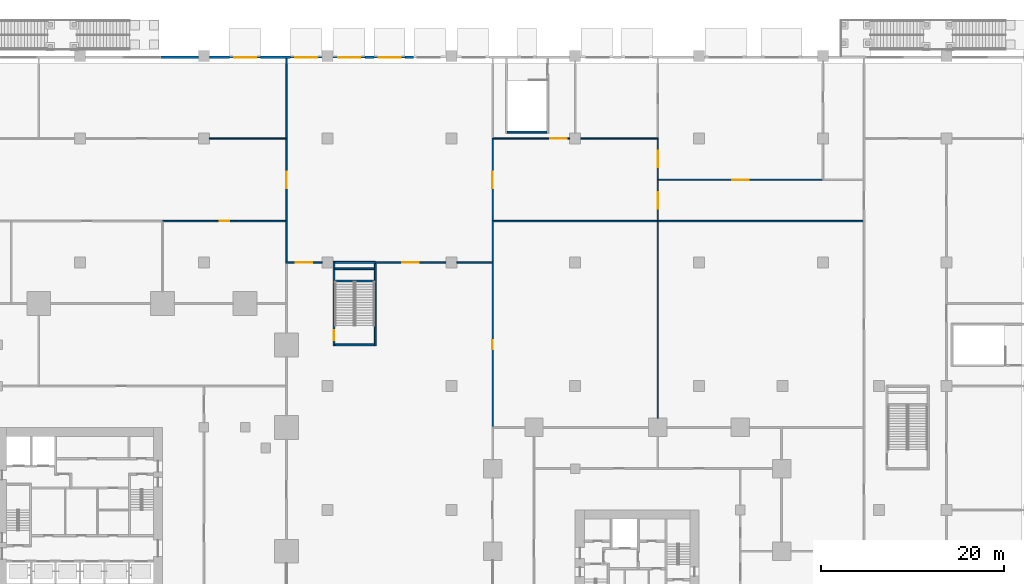
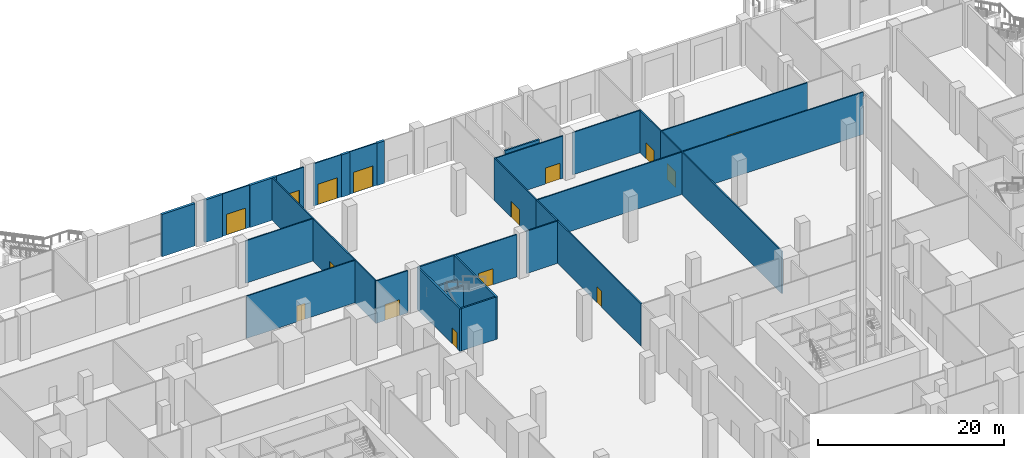
# One storey, part 32 of 68: 35 walls, 15 doors, 15 openings.
"""IFC4 building model written with IfcOpenShell, lengths in metres."""

import ifcopenshell
import ifcopenshell.guid

model = None  # the IFC model being written
_history = None  # IfcOwnerHistory: only IFC2X3 demands one
_inside = {}  # id of a spatial element -> (the spatial element, [elements in it])
_under = {}  # id of a project, library or spatial element -> (it, [spatial elements below it])
_declared = {}  # id of a project -> (the project, [libraries it declares])
_typed = {}  # id of a type object -> (the type object, [elements of that type])
_made_of = {}  # id of a material, layer set ... -> (it, [elements and type objects made of it])


def new_model(schema):
    """Start an empty IFC model of exactly this schema.

    Asked for "IFC4X3", IfcOpenShell would pick the latest addendum, in which some entities
    have other attributes; the version numbers below select the first issue.
    IFC2X3 requires an IfcOwnerHistory on every rooted entity: one is made here for all.
    """
    global model, _history
    if schema == "IFC4X3":
        model = ifcopenshell.file(schema_version=(4, 3, 0, 0))
    else:
        model = ifcopenshell.file(schema=schema)
    _inside.clear()
    _under.clear()
    _declared.clear()
    _typed.clear()
    _made_of.clear()
    _history = None
    if model.schema == "IFC2X3":
        org = make("IfcOrganization", Name="unknown")
        user = make(
            "IfcPersonAndOrganization",
            ThePerson=make("IfcPerson", FamilyName="unknown"),
            TheOrganization=org,
        )
        app = make(
            "IfcApplication",
            ApplicationDeveloper=org,
            Version="unknown",
            ApplicationFullName="unknown",
            ApplicationIdentifier="unknown",
        )
        _history = make(
            "IfcOwnerHistory",
            OwningUser=user,
            OwningApplication=app,
            ChangeAction="ADDED",
            CreationDate=0,
        )
    return model


def make(cls, **values):
    """One entity of the class cls with the attributes given. An attribute that is None is left unset."""
    return model.create_entity(
        cls, **{name: value for name, value in values.items() if value is not None}
    )


def rooted(cls, **values):
    """An entity with a GlobalId (a new one), such as an element, a storey or a relation."""
    return make(cls, GlobalId=ifcopenshell.guid.new(), OwnerHistory=_history, **values)


def si_unit(unit_type, name, prefix=None):
    """IfcSIUnit, for example si_unit("LENGTHUNIT", "METRE", prefix="MILLI")."""
    return make("IfcSIUnit", UnitType=unit_type, Prefix=prefix, Name=name)


def assignment(units):
    """IfcUnitAssignment: the units of a project."""
    return None if units is None else make("IfcUnitAssignment", Units=units)


def point(xyz):
    """IfcCartesianPoint."""
    return None if xyz is None else make("IfcCartesianPoint", Coordinates=xyz)


def direction(xyz):
    """IfcDirection."""
    return None if xyz is None else make("IfcDirection", DirectionRatios=xyz)


def frame(location, z_axis=None, x_axis=None):
    """IfcAxis2Placement3D, a coordinate frame: its origin and axes. An axis left out is left unset."""
    return make(
        "IfcAxis2Placement3D",
        Location=point(location),
        Axis=direction(z_axis),
        RefDirection=direction(x_axis),
    )


def frame_2d(location, x_axis=None):
    """IfcAxis2Placement2D, a coordinate frame in the plane: its origin and x axis."""
    return make(
        "IfcAxis2Placement2D", Location=point(location), RefDirection=direction(x_axis)
    )


def origin():
    """The frame at (0, 0, 0) with its axes left unset."""
    return frame((0.0, 0.0, 0.0))


def place(relative_to, where):
    """IfcLocalPlacement: puts the frame where relative to a parent placement (None: the world)."""
    return make(
        "IfcLocalPlacement", PlacementRelTo=relative_to, RelativePlacement=where
    )


def context(
    kind, dimensions, precision=None, world=None, true_north=None, identifier=None
):
    """IfcGeometricRepresentationContext, for example the 3D "Model" context."""
    return make(
        "IfcGeometricRepresentationContext",
        ContextIdentifier=identifier,
        ContextType=kind,
        CoordinateSpaceDimension=dimensions,
        Precision=precision,
        WorldCoordinateSystem=world,
        TrueNorth=true_north,
    )


def subcontext(parent, identifier, kind, view, scale=None):
    """IfcGeometricRepresentationSubContext, for example "Body" below "Model"."""
    return make(
        "IfcGeometricRepresentationSubContext",
        ContextIdentifier=identifier,
        ContextType=kind,
        ParentContext=parent,
        TargetScale=scale,
        TargetView=view,
    )


def project(units=None, contexts=None):
    """IfcProject with its units and contexts."""
    return rooted(
        "IfcProject",
        Name="project",
        RepresentationContexts=contexts,
        UnitsInContext=assignment(units),
    )


def spatial(cls, under=None, at=None, **own):
    """A site, building, storey or space (cls), placed at a placement, below another one or the project."""
    s = rooted(cls, ObjectPlacement=at, **own)
    if under is not None:
        _under.setdefault(under.id(), (under, []))[1].append(s)
    return s


def profile(cls, at=None, kind="AREA", **sizes):
    """A parametric profile (cls). Its sizes go by their IFC names, for example OverallWidth=200.0."""
    return make(cls, ProfileType=kind, Position=at, **sizes)


def rectangle(**sizes):
    """IfcRectangleProfileDef."""
    return profile("IfcRectangleProfileDef", **sizes)


def extrude(swept, where, along, depth):
    """IfcExtrudedAreaSolid: the profile swept, set in the frame where, extruded along a direction by depth."""
    return make(
        "IfcExtrudedAreaSolid",
        SweptArea=swept,
        Position=where,
        ExtrudedDirection=direction(along),
        Depth=depth,
    )


def shape(context_of_items, identifier, shape_type, items):
    """IfcShapeRepresentation: the items that make up one representation, for example the "Body"."""
    return make(
        "IfcShapeRepresentation",
        ContextOfItems=context_of_items,
        RepresentationIdentifier=identifier,
        RepresentationType=shape_type,
        Items=items,
    )


def material(Name=None, Category=None):
    """IfcMaterial."""
    return make("IfcMaterial", Name=Name, Category=Category)


def layer(
    of_material, thickness, ventilated=None, Name=None, Category=None, Priority=None
):
    """IfcMaterialLayer: one layer of a wall or slab, of a material (None: an air gap)."""
    return make(
        "IfcMaterialLayer",
        Material=of_material,
        LayerThickness=thickness,
        IsVentilated=ventilated,
        Name=Name,
        Category=Category,
        Priority=Priority,
    )


def layer_set(layers, Name=None):
    """IfcMaterialLayerSet."""
    return make("IfcMaterialLayerSet", MaterialLayers=layers, LayerSetName=Name)


def made_of(thing, what):
    """Note that an element or type object is made of a material, layer set ...; save() writes the relation."""
    if what is not None:
        _made_of.setdefault(what.id(), (what, []))[1].append(thing)
    return thing


def type_object(cls, material=None, **own):
    """A type object (cls), such as IfcWallType, which elements share."""
    return made_of(rooted(cls, **own), material)


def element(
    cls,
    number,
    at=None,
    inside=None,
    cuts=None,
    type_object=None,
    material=None,
    context=None,
    identifier="Body",
    shape_type=None,
    held_by="IfcProductDefinitionShape",
    body=None,
    shapes=None,
    **own,
):
    """One element of the class cls, such as IfcWall. Its Tag is "e" and its number.

    at: its placement. inside: the storey or other place that contains it. cuts: it is an
    opening in that element (IfcRelVoidsElement). A single representation is given by context,
    identifier, shape_type and body (its items); several are given by shapes. held_by: the class
    of the entity that holds the representations. save() writes the other relations.
    """
    e = rooted(cls, Tag="e%d" % number, ObjectPlacement=at, **own)
    if body is not None:
        shapes = [shape(context, identifier, shape_type, body)]
    if shapes is not None:
        e.Representation = make(held_by, Representations=shapes)
    if inside is not None:
        _inside.setdefault(inside.id(), (inside, []))[1].append(e)
    if cuts is not None:
        rooted(
            "IfcRelVoidsElement", RelatingBuildingElement=cuts, RelatedOpeningElement=e
        )
    if type_object is not None:
        _typed.setdefault(type_object.id(), (type_object, []))[1].append(e)
    return made_of(e, material)


def fill(opening, filler):
    """IfcRelFillsElement: the door or window that sits in an opening."""
    return rooted(
        "IfcRelFillsElement",
        RelatingOpeningElement=opening,
        RelatedBuildingElement=filler,
    )


def aggregate(whole, parts):
    """IfcRelAggregates: a whole, such as a stair, and the parts it consists of."""
    return rooted("IfcRelAggregates", RelatingObject=whole, RelatedObjects=parts)


def save(model, path):
    """Write the relations noted so far, then the file.

    IfcRelAggregates (storeys below a building ...), IfcRelContainedInSpatialStructure (elements
    in a storey), IfcRelDefinesByType, IfcRelAssociatesMaterial and IfcRelDeclares: one each for
    every whole, place, type object, material and project.
    """
    for whole, parts in _under.values():
        aggregate(whole, parts)
    for where, things in _inside.values():
        rooted(
            "IfcRelContainedInSpatialStructure",
            RelatedElements=things,
            RelatingStructure=where,
        )
    for kind, things in _typed.values():
        rooted("IfcRelDefinesByType", RelatedObjects=things, RelatingType=kind)
    for what, things in _made_of.values():
        rooted("IfcRelAssociatesMaterial", RelatedObjects=things, RelatingMaterial=what)
    for by, libraries in _declared.values():
        rooted("IfcRelDeclares", RelatingContext=by, RelatedDefinitions=libraries)
    model.write(path)


model = new_model("IFC4")

# Units and contexts
model_context = context("Model", 3, precision=1e-05, world=origin(), true_north=direction((0.0, 1.0)))
body_context = subcontext(model_context, "Body", "Model", "MODEL_VIEW")
ifc_project = project(units=[si_unit("LENGTHUNIT", "METRE"), si_unit("AREAUNIT", "SQUARE_METRE"), si_unit("VOLUMEUNIT", "CUBIC_METRE"), si_unit("PLANEANGLEUNIT", "RADIAN"), si_unit("MASSUNIT", "GRAM", prefix="KILO")], contexts=[model_context])

# Site, building, storey
site_placement = place(None, origin())
site = spatial("IfcSite", under=ifc_project, at=site_placement, CompositionType="ELEMENT")
building_placement = place(site_placement, origin())
building = spatial("IfcBuilding", under=site, at=building_placement, Name="Altepetl Exchange Towers", CompositionType="ELEMENT")
storey_placement = place(building_placement, origin())
storey = spatial("IfcBuildingStorey", under=building, at=storey_placement, Name="L00 Ground concourse", CompositionType="ELEMENT", Elevation=0.0)

# Wall, opening, door
ifc_material_1 = material(Name="Aluminium composite cladding", Category="aluminium")
ifc_layer_1 = layer(ifc_material_1, 0.14990234375)
ifc_layer_set_1 = layer_set([ifc_layer_1], Name="Aluminium composite cladding")
wall_type_1 = type_object("IfcWallType", Name="Infill wall 150 aluminium panel", PredefinedType="SOLIDWALL", material=ifc_layer_set_1)
wall_1_placement = place(storey_placement, frame((84.949951171875, 98.85009765625, 0.0), z_axis=(0.0, 0.0, 1.0), x_axis=(-1.0, 0.0, 0.0)))
wall_1 = element("IfcWall", 1, at=wall_1_placement, inside=storey, type_object=wall_type_1, Name="Door bay wall", PredefinedType="SOLIDWALL", context=body_context, shape_type="SweptSolid", body=[
    extrude(rectangle(XDim=3.39990234375, YDim=0.14990234375, at=frame_2d((1.699951171875, 0.0))), origin(), (0.0, 0.0, 1.0), 5.550048828125),
])
opening_1_placement = place(wall_1_placement, frame((0.5, 0.0, 0.0)))
opening_1 = element("IfcOpeningElement", 2, at=opening_1_placement, cuts=wall_1, Name="Opening L00.E08", PredefinedType="OPENING", context=body_context, shape_type="SweptSolid", body=[
    extrude(rectangle(XDim=2.39990234375, YDim=2.699951171875, at=frame_2d((1.199951171875, 1.35009765625))), frame((0.0, 0.0849609375, 0.0), z_axis=(0.0, -1.0, 0.0), x_axis=(1.0, 0.0, 0.0)), (0.0, 0.0, 1.0), 0.169921875),
])
ifc_material_2 = material(Name="Aluminium 6063-T6 and glass", Category="aluminium")
door_type_1 = type_object("IfcDoorType", Name="Entrance door pair 2400x2700 pedestrian", OperationType="DOUBLE_DOOR_DOUBLE_SWING", PredefinedType="NOTDEFINED", material=ifc_material_2)
door_1_placement = place(opening_1_placement, frame((2.39990234375, 0.0, 0.0), x_axis=(-1.0, 0.0, 0.0)))
door_1 = element("IfcDoor", 3, at=door_1_placement, inside=storey, type_object=door_type_1, Name="Entrance door", OperationType="DOUBLE_DOOR_DOUBLE_SWING", OverallHeight=2.699951171875, OverallWidth=2.39990234375, PredefinedType="NOTDEFINED", context=body_context, shape_type="SweptSolid", body=[
    extrude(rectangle(XDim=2.39990234375, YDim=2.699951171875, at=frame_2d((1.199951171875, 1.35009765625))), frame((0.0, 0.02490234375, 0.0), z_axis=(0.0, -1.0, 0.0), x_axis=(1.0, 0.0, 0.0)), (0.0, 0.0, 1.0), 0.050048828125),
])
fill(opening_1, door_1)

wall_2_placement = place(storey_placement, frame((80.550048828125, 98.85009765625, 0.0), z_axis=(0.0, 0.0, 1.0), x_axis=(-1.0, 0.0, 0.0)))
wall_2 = element("IfcWall", 4, at=wall_2_placement, inside=storey, type_object=wall_type_1, Name="Door bay wall", PredefinedType="SOLIDWALL", context=body_context, shape_type="SweptSolid", body=[
    extrude(rectangle(XDim=3.449951171875, YDim=0.14990234375, at=frame_2d((1.72509765625, 0.0))), origin(), (0.0, 0.0, 1.0), 5.550048828125),
])
opening_2_placement = place(wall_2_placement, frame((0.5, 0.0, 0.0)))
opening_2 = element("IfcOpeningElement", 5, at=opening_2_placement, cuts=wall_2, Name="Opening L00.E07", PredefinedType="OPENING", context=body_context, shape_type="SweptSolid", body=[
    extrude(rectangle(XDim=2.39990234375, YDim=2.699951171875, at=frame_2d((1.199951171875, 1.35009765625))), frame((0.0, 0.0849609375, 0.0), z_axis=(0.0, -1.0, 0.0), x_axis=(1.0, 0.0, 0.0)), (0.0, 0.0, 1.0), 0.169921875),
])
door_2_placement = place(opening_2_placement, frame((2.39990234375, 0.0, 0.0), x_axis=(-1.0, 0.0, 0.0)))
door_2 = element("IfcDoor", 6, at=door_2_placement, inside=storey, type_object=door_type_1, Name="Entrance door", OperationType="DOUBLE_DOOR_DOUBLE_SWING", OverallHeight=2.699951171875, OverallWidth=2.39990234375, PredefinedType="NOTDEFINED", context=body_context, shape_type="SweptSolid", body=[
    extrude(rectangle(XDim=2.39990234375, YDim=2.699951171875, at=frame_2d((1.199951171875, 1.35009765625))), frame((0.0, 0.02490234375, 0.0), z_axis=(0.0, -1.0, 0.0), x_axis=(1.0, 0.0, 0.0)), (0.0, 0.0, 1.0), 0.050048828125),
])
fill(opening_2, door_2)

wall_3_placement = place(storey_placement, frame((75.89990234375, 98.85009765625, 0.0), z_axis=(0.0, 0.0, 1.0), x_axis=(-1.0, 0.0, 0.0)))
wall_3 = element("IfcWall", 7, at=wall_3_placement, inside=storey, type_object=wall_type_1, Name="Door bay wall", PredefinedType="SOLIDWALL", context=body_context, shape_type="SweptSolid", body=[
    extrude(rectangle(XDim=3.449951171875, YDim=0.14990234375, at=frame_2d((1.72509765625, 0.0))), origin(), (0.0, 0.0, 1.0), 5.550048828125),
])
opening_3_placement = place(wall_3_placement, frame((0.550048828125, 0.0, 0.0)))
opening_3 = element("IfcOpeningElement", 8, at=opening_3_placement, cuts=wall_3, Name="Opening L00.E06", PredefinedType="OPENING", context=body_context, shape_type="SweptSolid", body=[
    extrude(rectangle(XDim=2.39990234375, YDim=2.699951171875, at=frame_2d((1.199951171875, 1.35009765625))), frame((0.0, 0.0849609375, 0.0), z_axis=(0.0, -1.0, 0.0), x_axis=(1.0, 0.0, 0.0)), (0.0, 0.0, 1.0), 0.169921875),
])
door_3_placement = place(opening_3_placement, frame((2.39990234375, 0.0, 0.0), x_axis=(-1.0, 0.0, 0.0)))
door_3 = element("IfcDoor", 9, at=door_3_placement, inside=storey, type_object=door_type_1, Name="Entrance door", OperationType="DOUBLE_DOOR_DOUBLE_SWING", OverallHeight=2.699951171875, OverallWidth=2.39990234375, PredefinedType="NOTDEFINED", context=body_context, shape_type="SweptSolid", body=[
    extrude(rectangle(XDim=2.39990234375, YDim=2.699951171875, at=frame_2d((1.199951171875, 1.35009765625))), frame((0.0, 0.02490234375, 0.0), z_axis=(0.0, -1.0, 0.0), x_axis=(1.0, 0.0, 0.0)), (0.0, 0.0, 1.0), 0.050048828125),
])
fill(opening_3, door_3)

wall_4_placement = place(storey_placement, frame((69.199951171875, 98.85009765625, 0.0), z_axis=(0.0, 0.0, 1.0), x_axis=(-1.0, 0.0, 0.0)))
wall_4 = element("IfcWall", 10, at=wall_4_placement, inside=storey, type_object=wall_type_1, Name="Door bay wall", PredefinedType="SOLIDWALL", context=body_context, shape_type="SweptSolid", body=[
    extrude(rectangle(XDim=3.39990234375, YDim=0.14990234375, at=frame_2d((1.699951171875, 0.0))), origin(), (0.0, 0.0, 1.0), 5.550048828125),
])
opening_4_placement = place(wall_4_placement, frame((0.5, 0.0, 0.0)))
opening_4 = element("IfcOpeningElement", 11, at=opening_4_placement, cuts=wall_4, Name="Opening L00.E38", PredefinedType="OPENING", context=body_context, shape_type="SweptSolid", body=[
    extrude(rectangle(XDim=2.39990234375, YDim=2.699951171875, at=frame_2d((1.199951171875, 1.35009765625))), frame((0.0, 0.0849609375, 0.0), z_axis=(0.0, -1.0, 0.0), x_axis=(1.0, 0.0, 0.0)), (0.0, 0.0, 1.0), 0.169921875),
])
door_4_placement = place(opening_4_placement, frame((2.39990234375, 0.0, 0.0), x_axis=(-1.0, 0.0, 0.0)))
door_4 = element("IfcDoor", 12, at=door_4_placement, inside=storey, type_object=door_type_1, Name="Entrance door", OperationType="DOUBLE_DOOR_DOUBLE_SWING", OverallHeight=2.699951171875, OverallWidth=2.39990234375, PredefinedType="NOTDEFINED", context=body_context, shape_type="SweptSolid", body=[
    extrude(rectangle(XDim=2.39990234375, YDim=2.699951171875, at=frame_2d((1.199951171875, 1.35009765625))), frame((0.0, 0.02490234375, 0.0), z_axis=(0.0, -1.0, 0.0), x_axis=(1.0, 0.0, 0.0)), (0.0, 0.0, 1.0), 0.050048828125),
])
fill(opening_4, door_4)

# Walls
ifc_material_3 = material(Name="Reinforced concrete C35/45", Category="concrete")
ifc_layer_2 = layer(ifc_material_3, 0.199951171875)
ifc_layer_set_2 = layer_set([ifc_layer_2], Name="Reinforced concrete C35/45")
wall_type_2 = type_object("IfcWallType", Name="Landing support wall 200", PredefinedType="SOLIDWALL", material=ifc_layer_set_2)
for number, where, name in (
    (13, (77.300048828125, 74.4599609375, 0.0), "wall:P:L00:PX2sup0"),
    (14, (77.300048828125, 75.800048828125, 0.0), "wall:P:L00:PX2sup1"),
):
    element("IfcWall", number, at=place(storey_placement, frame(where)), inside=storey, type_object=wall_type_2, Name=name, PredefinedType="SOLIDWALL", context=body_context, shape_type="SweptSolid", body=[
        extrude(rectangle(XDim=4.300048828125, YDim=0.199951171875, at=frame_2d((2.14990234375, 0.0))), origin(), (0.0, 0.0, 1.0), 2.800048828125),
    ])

# Wall, opening, door
ifc_material_4 = material(Name="Gypsum board on steel studs", Category="steel")
ifc_layer_3 = layer(ifc_material_4, 0.14990234375)
ifc_layer_set_3 = layer_set([ifc_layer_3], Name="Gypsum board on steel studs")
wall_type_3 = type_object("IfcWallType", Name="Podium partition 150", PredefinedType="PARTITIONING", material=ifc_layer_set_3)
wall_5_placement = place(storey_placement, frame((71.925048828125, 76.5, 0.0)))
wall_5 = element("IfcWall", 15, at=wall_5_placement, inside=storey, type_object=wall_type_3, Name="wall:P:L00:P011", PredefinedType="PARTITIONING", context=body_context, shape_type="SweptSolid", body=[
    extrude(rectangle(XDim=3.97998046875, YDim=0.14990234375, at=frame_2d((1.989990234375, 0.0))), origin(), (0.0, 0.0, 1.0), 5.550048828125),
])
opening_5_placement = place(wall_5_placement, frame((1.125, 0.0, 0.0)))
opening_5 = element("IfcOpeningElement", 16, at=opening_5_placement, cuts=wall_5, Name="Opening L00.P069", PredefinedType="OPENING", context=body_context, shape_type="SweptSolid", body=[
    extrude(rectangle(XDim=1.800048828125, YDim=2.10009765625, at=frame_2d((0.89990234375, 1.050048828125))), frame((0.0, 0.0849609375, 0.0), z_axis=(0.0, -1.0, 0.0), x_axis=(1.0, 0.0, 0.0)), (0.0, 0.0, 1.0), 0.169921875),
])
ifc_material_5 = material(Name="Glazed aluminium and steel", Category="steel")
door_type_2 = type_object("IfcDoorType", Name="Podium fire door 1800 x 2100 double leaf", OperationType="DOUBLE_DOOR_SINGLE_SWING", PredefinedType="DOOR", material=ifc_material_5)
door_5_placement = place(opening_5_placement, origin())
door_5 = element("IfcDoor", 17, at=door_5_placement, inside=storey, type_object=door_type_2, Name="door:P:L00:069", OperationType="DOUBLE_DOOR_SINGLE_SWING", OverallHeight=2.10009765625, OverallWidth=1.800048828125, PredefinedType="DOOR", context=body_context, shape_type="SweptSolid", body=[
    extrude(rectangle(XDim=1.800048828125, YDim=2.10009765625, at=frame_2d((0.89990234375, 1.050048828125))), frame((0.0, 0.02490234375, 0.0), z_axis=(0.0, -1.0, 0.0), x_axis=(1.0, 0.0, 0.0)), (0.0, 0.0, 1.0), 0.050048828125),
])
fill(opening_5, door_5)

wall_6_placement = place(storey_placement, frame((81.800048828125, 76.5, 0.0)))
wall_6 = element("IfcWall", 18, at=wall_6_placement, inside=storey, type_object=wall_type_3, Name="wall:P:L00:P012", PredefinedType="PARTITIONING", context=body_context, shape_type="SweptSolid", body=[
    extrude(rectangle(XDim=7.60498046875, YDim=0.14990234375, at=frame_2d((3.802490234375, 0.0))), origin(), (0.0, 0.0, 1.0), 5.550048828125),
])
opening_6_placement = place(wall_6_placement, frame((2.85009765625, 0.0, 0.0)))
opening_6 = element("IfcOpeningElement", 19, at=opening_6_placement, cuts=wall_6, Name="Opening L00.P068", PredefinedType="OPENING", context=body_context, shape_type="SweptSolid", body=[
    extrude(rectangle(XDim=1.800048828125, YDim=2.10009765625, at=frame_2d((0.89990234375, 1.050048828125))), frame((0.0, 0.0849609375, 0.0), z_axis=(0.0, -1.0, 0.0), x_axis=(1.0, 0.0, 0.0)), (0.0, 0.0, 1.0), 0.169921875),
])
door_6_placement = place(opening_6_placement, origin())
door_6 = element("IfcDoor", 20, at=door_6_placement, inside=storey, type_object=door_type_2, Name="door:P:L00:068", OperationType="DOUBLE_DOOR_SINGLE_SWING", OverallHeight=2.10009765625, OverallWidth=1.800048828125, PredefinedType="DOOR", context=body_context, shape_type="SweptSolid", body=[
    extrude(rectangle(XDim=1.800048828125, YDim=2.10009765625, at=frame_2d((0.89990234375, 1.050048828125))), frame((0.0, 0.02490234375, 0.0), z_axis=(0.0, -1.0, 0.0), x_axis=(1.0, 0.0, 0.0)), (0.0, 0.0, 1.0), 0.050048828125),
])
fill(opening_6, door_6)

# Wall
wall_7_placement = place(storey_placement, frame((90.594970703125, 76.5, 0.0)))
element("IfcWall", 21, at=wall_7_placement, inside=storey, type_object=wall_type_3, Name="wall:P:L00:P013", PredefinedType="PARTITIONING", context=body_context, shape_type="SweptSolid", body=[
    extrude(rectangle(XDim=3.97998046875, YDim=0.14990234375, at=frame_2d((1.989990234375, 0.0))), origin(), (0.0, 0.0, 1.0), 5.550048828125),
])

# Wall, opening, door
wall_8_placement = place(storey_placement, frame((94.5, 58.5, 0.0), z_axis=(0.0, 0.0, 1.0), x_axis=(0.0, 1.0, 0.0)))
wall_8 = element("IfcWall", 22, at=wall_8_placement, inside=storey, type_object=wall_type_3, Name="wall:P:L00:P028", PredefinedType="PARTITIONING", context=body_context, shape_type="SweptSolid", body=[
    extrude(rectangle(XDim=17.925048828125, YDim=0.14990234375, at=frame_2d((8.96240234375, 0.0))), origin(), (0.0, 0.0, 1.0), 5.550048828125),
])
opening_7_placement = place(wall_8_placement, frame((8.5, 0.0, 0.0)))
opening_7 = element("IfcOpeningElement", 23, at=opening_7_placement, cuts=wall_8, Name="Opening L00.P048", PredefinedType="OPENING", context=body_context, shape_type="SweptSolid", body=[
    extrude(rectangle(XDim=1.0, YDim=2.10009765625, at=frame_2d((0.5, 1.050048828125))), frame((0.0, 0.0849609375, 0.0), z_axis=(0.0, -1.0, 0.0), x_axis=(1.0, 0.0, 0.0)), (0.0, 0.0, 1.0), 0.169921875),
])
ifc_material_6 = material(Name="Steel and timber fire door", Category="steel")
door_type_3 = type_object("IfcDoorType", Name="Podium fire door 1000 x 2100 single leaf", OperationType="SINGLE_SWING_LEFT", PredefinedType="DOOR", material=ifc_material_6)
door_7_placement = place(opening_7_placement, frame((1.0, 0.0, 0.0), x_axis=(-1.0, 0.0, 0.0)))
door_7 = element("IfcDoor", 24, at=door_7_placement, inside=storey, type_object=door_type_3, Name="door:P:L00:048", OperationType="SINGLE_SWING_LEFT", OverallHeight=2.10009765625, OverallWidth=1.0, PredefinedType="DOOR", context=body_context, shape_type="SweptSolid", body=[
    extrude(rectangle(XDim=1.0, YDim=2.10009765625, at=frame_2d((0.5, 1.050048828125))), frame((0.0, 0.02490234375, 0.0), z_axis=(0.0, -1.0, 0.0), x_axis=(1.0, 0.0, 0.0)), (0.0, 0.0, 1.0), 0.050048828125),
])
fill(opening_7, door_7)

wall_9_placement = place(storey_placement, frame((72.0, 80.925048828125, 0.0), z_axis=(0.0, 0.0, 1.0), x_axis=(0.0, 1.0, 0.0)))
wall_9 = element("IfcWall", 25, at=wall_9_placement, inside=storey, type_object=wall_type_3, Name="wall:P:L00:P035", PredefinedType="PARTITIONING", context=body_context, shape_type="SweptSolid", body=[
    extrude(rectangle(XDim=9.14990234375, YDim=0.14990234375, at=frame_2d((4.574951171875, 0.0))), origin(), (0.0, 0.0, 1.0), 5.550048828125),
])
opening_8_placement = place(wall_9_placement, frame((3.675048828125, 0.0, 0.0)))
opening_8 = element("IfcOpeningElement", 26, at=opening_8_placement, cuts=wall_9, Name="Opening L00.P074", PredefinedType="OPENING", context=body_context, shape_type="SweptSolid", body=[
    extrude(rectangle(XDim=1.800048828125, YDim=2.10009765625, at=frame_2d((0.89990234375, 1.050048828125))), frame((0.0, 0.0849609375, 0.0), z_axis=(0.0, -1.0, 0.0), x_axis=(1.0, 0.0, 0.0)), (0.0, 0.0, 1.0), 0.169921875),
])
door_8_placement = place(opening_8_placement, origin())
door_8 = element("IfcDoor", 27, at=door_8_placement, inside=storey, type_object=door_type_2, Name="door:P:L00:074", OperationType="DOUBLE_DOOR_SINGLE_SWING", OverallHeight=2.10009765625, OverallWidth=1.800048828125, PredefinedType="DOOR", context=body_context, shape_type="SweptSolid", body=[
    extrude(rectangle(XDim=1.800048828125, YDim=2.10009765625, at=frame_2d((0.89990234375, 1.050048828125))), frame((0.0, 0.02490234375, 0.0), z_axis=(0.0, -1.0, 0.0), x_axis=(1.0, 0.0, 0.0)), (0.0, 0.0, 1.0), 0.050048828125),
])
fill(opening_8, door_8)

# Walls
wall_10_placement = place(storey_placement, frame((72.0, 90.0, 0.0), z_axis=(0.0, 0.0, 1.0), x_axis=(0.0, 1.0, 0.0)))
element("IfcWall", 28, at=wall_10_placement, inside=storey, type_object=wall_type_3, Name="wall:P:L00:P036", PredefinedType="PARTITIONING", context=body_context, shape_type="SweptSolid", body=[
    extrude(rectangle(XDim=8.699951171875, YDim=0.14990234375, at=frame_2d((4.35009765625, 0.0))), origin(), (0.0, 0.0, 1.0), 5.550048828125),
])
wall_11_placement = place(storey_placement, frame((72.0, 76.5, 0.0), z_axis=(0.0, 0.0, 1.0), x_axis=(0.0, 1.0, 0.0)))
element("IfcWall", 29, at=wall_11_placement, inside=storey, type_object=wall_type_3, Name="wall:P:L00:P037", PredefinedType="PARTITIONING", context=body_context, shape_type="SweptSolid", body=[
    extrude(rectangle(XDim=4.5, YDim=0.14990234375, at=frame_2d((2.25, 0.0))), origin(), (0.0, 0.0, 1.0), 5.550048828125),
])
wall_12_placement = place(storey_placement, frame((94.5, 76.5, 0.0), z_axis=(0.0, 0.0, 1.0), x_axis=(0.0, 1.0, 0.0)))
element("IfcWall", 30, at=wall_12_placement, inside=storey, type_object=wall_type_3, Name="wall:P:L00:P038", PredefinedType="PARTITIONING", context=body_context, shape_type="SweptSolid", body=[
    extrude(rectangle(XDim=4.574951171875, YDim=0.14990234375, at=frame_2d((2.28759765625, 0.0))), origin(), (0.0, 0.0, 1.0), 5.550048828125),
])

# Wall, opening, door
wall_13_placement = place(storey_placement, frame((94.5, 81.0, 0.0), z_axis=(0.0, 0.0, 1.0), x_axis=(0.0, 1.0, 0.0)))
wall_13 = element("IfcWall", 31, at=wall_13_placement, inside=storey, type_object=wall_type_3, Name="wall:P:L00:P039", PredefinedType="PARTITIONING", context=body_context, shape_type="SweptSolid", body=[
    extrude(rectangle(XDim=9.074951171875, YDim=0.14990234375, at=frame_2d((4.53759765625, 0.0))), origin(), (0.0, 0.0, 1.0), 5.550048828125),
])
opening_9_placement = place(wall_13_placement, frame((3.60009765625, 0.0, 0.0)))
opening_9 = element("IfcOpeningElement", 32, at=opening_9_placement, cuts=wall_13, Name="Opening L00.P075", PredefinedType="OPENING", context=body_context, shape_type="SweptSolid", body=[
    extrude(rectangle(XDim=1.800048828125, YDim=2.10009765625, at=frame_2d((0.89990234375, 1.050048828125))), frame((0.0, 0.0849609375, 0.0), z_axis=(0.0, -1.0, 0.0), x_axis=(1.0, 0.0, 0.0)), (0.0, 0.0, 1.0), 0.169921875),
])
door_9_placement = place(opening_9_placement, frame((1.800048828125, 0.0, 0.0), x_axis=(-1.0, 0.0, 0.0)))
door_9 = element("IfcDoor", 33, at=door_9_placement, inside=storey, type_object=door_type_2, Name="door:P:L00:075", OperationType="DOUBLE_DOOR_SINGLE_SWING", OverallHeight=2.10009765625, OverallWidth=1.800048828125, PredefinedType="DOOR", context=body_context, shape_type="SweptSolid", body=[
    extrude(rectangle(XDim=1.800048828125, YDim=2.10009765625, at=frame_2d((0.89990234375, 1.050048828125))), frame((0.0, 0.02490234375, 0.0), z_axis=(0.0, -1.0, 0.0), x_axis=(1.0, 0.0, 0.0)), (0.0, 0.0, 1.0), 0.050048828125),
])
fill(opening_9, door_9)

# Wall
wall_14_placement = place(storey_placement, frame((63.594970703125, 90.0, 0.0)))
element("IfcWall", 34, at=wall_14_placement, inside=storey, type_object=wall_type_3, Name="wall:P:L00:P095", PredefinedType="PARTITIONING", context=body_context, shape_type="SweptSolid", body=[
    extrude(rectangle(XDim=8.330078125, YDim=0.14990234375, at=frame_2d((4.1650390625, 0.0))), origin(), (0.0, 0.0, 1.0), 5.550048828125),
])

# Wall, opening, door
wall_15_placement = place(storey_placement, frame((58.5, 81.0, 0.0)))
wall_15 = element("IfcWall", 35, at=wall_15_placement, inside=storey, type_object=wall_type_3, Name="wall:P:L00:P099", PredefinedType="PARTITIONING", context=body_context, shape_type="SweptSolid", body=[
    extrude(rectangle(XDim=13.425048828125, YDim=0.14990234375, at=frame_2d((6.71240234375, 0.0))), origin(), (0.0, 0.0, 1.0), 5.550048828125),
])
opening_10_placement = place(wall_15_placement, frame((6.25, 0.0, 0.0)))
opening_10 = element("IfcOpeningElement", 36, at=opening_10_placement, cuts=wall_15, Name="Opening L00.P023", PredefinedType="OPENING", context=body_context, shape_type="SweptSolid", body=[
    extrude(rectangle(XDim=1.0, YDim=2.10009765625, at=frame_2d((0.5, 1.050048828125))), frame((0.0, 0.0849609375, 0.0), z_axis=(0.0, -1.0, 0.0), x_axis=(1.0, 0.0, 0.0)), (0.0, 0.0, 1.0), 0.169921875),
])
door_10_placement = place(opening_10_placement, frame((1.0, 0.0, 0.0), x_axis=(-1.0, 0.0, 0.0)))
door_10 = element("IfcDoor", 37, at=door_10_placement, inside=storey, type_object=door_type_3, Name="door:P:L00:023", OperationType="SINGLE_SWING_LEFT", OverallHeight=2.10009765625, OverallWidth=1.0, PredefinedType="DOOR", context=body_context, shape_type="SweptSolid", body=[
    extrude(rectangle(XDim=1.0, YDim=2.10009765625, at=frame_2d((0.5, 1.050048828125))), frame((0.0, 0.02490234375, 0.0), z_axis=(0.0, -1.0, 0.0), x_axis=(1.0, 0.0, 0.0)), (0.0, 0.0, 1.0), 0.050048828125),
])
fill(opening_10, door_10)

# Walls
wall_16_placement = place(storey_placement, frame((112.5, 59.4951171875, 0.0), z_axis=(0.0, 0.0, 1.0), x_axis=(0.0, 1.0, 0.0)))
element("IfcWall", 38, at=wall_16_placement, inside=storey, type_object=wall_type_3, Name="wall:P:L00:P265", PredefinedType="PARTITIONING", context=body_context, shape_type="SweptSolid", body=[
    extrude(rectangle(XDim=21.579833984375, YDim=0.14990234375, at=frame_2d((10.7900390625, 0.0))), origin(), (0.0, 0.0, 1.0), 5.550048828125),
])
wall_17_placement = place(storey_placement, frame((94.574951171875, 81.0, 0.0)))
element("IfcWall", 39, at=wall_17_placement, inside=storey, type_object=wall_type_3, Name="wall:P:L00:P266", PredefinedType="PARTITIONING", context=body_context, shape_type="SweptSolid", body=[
    extrude(rectangle(XDim=17.85009765625, YDim=0.14990234375, at=frame_2d((8.925048828125, 0.0))), origin(), (0.0, 0.0, 1.0), 5.550048828125),
])
wall_18_placement = place(storey_placement, frame((112.425048828125, 81.0, 0.0)))
element("IfcWall", 40, at=wall_18_placement, inside=storey, type_object=wall_type_3, Name="wall:P:L00:P267", PredefinedType="PARTITIONING", context=body_context, shape_type="SweptSolid", body=[
    extrude(rectangle(XDim=22.5, YDim=0.14990234375, at=frame_2d((11.25, 0.0))), origin(), (0.0, 0.0, 1.0), 5.550048828125),
])

# Wall, opening, door
wall_19_placement = place(storey_placement, frame((112.5, 81.074951171875, 0.0), z_axis=(0.0, 0.0, 1.0), x_axis=(0.0, 1.0, 0.0)))
wall_19 = element("IfcWall", 41, at=wall_19_placement, inside=storey, type_object=wall_type_3, Name="wall:P:L00:P268", PredefinedType="PARTITIONING", context=body_context, shape_type="SweptSolid", body=[
    extrude(rectangle(XDim=4.5, YDim=0.14990234375, at=frame_2d((2.25, 0.0))), origin(), (0.0, 0.0, 1.0), 5.550048828125),
])
opening_11_placement = place(wall_19_placement, frame((1.27490234375, 0.0, 0.0)))
opening_11 = element("IfcOpeningElement", 42, at=opening_11_placement, cuts=wall_19, Name="Opening L00.P096", PredefinedType="OPENING", context=body_context, shape_type="SweptSolid", body=[
    extrude(rectangle(XDim=1.800048828125, YDim=2.10009765625, at=frame_2d((0.89990234375, 1.050048828125))), frame((0.0, 0.0849609375, 0.0), z_axis=(0.0, -1.0, 0.0), x_axis=(1.0, 0.0, 0.0)), (0.0, 0.0, 1.0), 0.169921875),
])
door_11_placement = place(opening_11_placement, frame((1.800048828125, 0.0, 0.0), x_axis=(-1.0, 0.0, 0.0)))
door_11 = element("IfcDoor", 43, at=door_11_placement, inside=storey, type_object=door_type_2, Name="door:P:L00:096", OperationType="DOUBLE_DOOR_SINGLE_SWING", OverallHeight=2.10009765625, OverallWidth=1.800048828125, PredefinedType="DOOR", context=body_context, shape_type="SweptSolid", body=[
    extrude(rectangle(XDim=1.800048828125, YDim=2.10009765625, at=frame_2d((0.89990234375, 1.050048828125))), frame((0.0, 0.02490234375, 0.0), z_axis=(0.0, -1.0, 0.0), x_axis=(1.0, 0.0, 0.0)), (0.0, 0.0, 1.0), 0.050048828125),
])
fill(opening_11, door_11)

wall_20_placement = place(storey_placement, frame((94.574951171875, 90.0, 0.0)))
wall_20 = element("IfcWall", 44, at=wall_20_placement, inside=storey, type_object=wall_type_3, Name="wall:P:L00:P269", PredefinedType="PARTITIONING", context=body_context, shape_type="SweptSolid", body=[
    extrude(rectangle(XDim=8.330078125, YDim=0.14990234375, at=frame_2d((4.1650390625, 0.0))), origin(), (0.0, 0.0, 1.0), 5.550048828125),
])
opening_12_placement = place(wall_20_placement, frame((6.175048828125, 0.0, 0.0)))
opening_12 = element("IfcOpeningElement", 45, at=opening_12_placement, cuts=wall_20, Name="Opening L00.P097", PredefinedType="OPENING", context=body_context, shape_type="SweptSolid", body=[
    extrude(rectangle(XDim=1.800048828125, YDim=2.10009765625, at=frame_2d((0.89990234375, 1.050048828125))), frame((0.0, 0.0849609375, 0.0), z_axis=(0.0, -1.0, 0.0), x_axis=(1.0, 0.0, 0.0)), (0.0, 0.0, 1.0), 0.169921875),
])
door_12_placement = place(opening_12_placement, origin())
door_12 = element("IfcDoor", 46, at=door_12_placement, inside=storey, type_object=door_type_2, Name="door:P:L00:097", OperationType="DOUBLE_DOOR_SINGLE_SWING", OverallHeight=2.10009765625, OverallWidth=1.800048828125, PredefinedType="DOOR", context=body_context, shape_type="SweptSolid", body=[
    extrude(rectangle(XDim=1.800048828125, YDim=2.10009765625, at=frame_2d((0.89990234375, 1.050048828125))), frame((0.0, 0.02490234375, 0.0), z_axis=(0.0, -1.0, 0.0), x_axis=(1.0, 0.0, 0.0)), (0.0, 0.0, 1.0), 0.050048828125),
])
fill(opening_12, door_12)

# Wall
wall_21_placement = place(storey_placement, frame((104.094970703125, 90.0, 0.0)))
element("IfcWall", 47, at=wall_21_placement, inside=storey, type_object=wall_type_3, Name="wall:P:L00:P270", PredefinedType="PARTITIONING", context=body_context, shape_type="SweptSolid", body=[
    extrude(rectangle(XDim=8.47998046875, YDim=0.14990234375, at=frame_2d((4.239990234375, 0.0))), origin(), (0.0, 0.0, 1.0), 5.550048828125),
])

# Wall, opening, door
wall_22_placement = place(storey_placement, frame((112.5, 85.5, 0.0), z_axis=(0.0, 0.0, 1.0), x_axis=(0.0, 1.0, 0.0)))
wall_22 = element("IfcWall", 48, at=wall_22_placement, inside=storey, type_object=wall_type_3, Name="wall:P:L00:P271", PredefinedType="PARTITIONING", context=body_context, shape_type="SweptSolid", body=[
    extrude(rectangle(XDim=4.425048828125, YDim=0.14990234375, at=frame_2d((2.21240234375, 0.0))), origin(), (0.0, 0.0, 1.0), 5.550048828125),
])
opening_13_placement = place(wall_22_placement, frame((1.35009765625, 0.0, 0.0)))
opening_13 = element("IfcOpeningElement", 49, at=opening_13_placement, cuts=wall_22, Name="Opening L00.P098", PredefinedType="OPENING", context=body_context, shape_type="SweptSolid", body=[
    extrude(rectangle(XDim=1.800048828125, YDim=2.10009765625, at=frame_2d((0.89990234375, 1.050048828125))), frame((0.0, 0.0849609375, 0.0), z_axis=(0.0, -1.0, 0.0), x_axis=(1.0, 0.0, 0.0)), (0.0, 0.0, 1.0), 0.169921875),
])
door_13_placement = place(opening_13_placement, origin())
door_13 = element("IfcDoor", 50, at=door_13_placement, inside=storey, type_object=door_type_2, Name="door:P:L00:098", OperationType="DOUBLE_DOOR_SINGLE_SWING", OverallHeight=2.10009765625, OverallWidth=1.800048828125, PredefinedType="DOOR", context=body_context, shape_type="SweptSolid", body=[
    extrude(rectangle(XDim=1.800048828125, YDim=2.10009765625, at=frame_2d((0.89990234375, 1.050048828125))), frame((0.0, 0.02490234375, 0.0), z_axis=(0.0, -1.0, 0.0), x_axis=(1.0, 0.0, 0.0)), (0.0, 0.0, 1.0), 0.050048828125),
])
fill(opening_13, door_13)

wall_23_placement = place(storey_placement, frame((112.574951171875, 85.5, 0.0)))
wall_23 = element("IfcWall", 51, at=wall_23_placement, inside=storey, type_object=wall_type_3, Name="wall:P:L00:P272", PredefinedType="PARTITIONING", context=body_context, shape_type="SweptSolid", body=[
    extrude(rectangle(XDim=18.0, YDim=0.14990234375, at=frame_2d((9.0, 0.0))), origin(), (0.0, 0.0, 1.0), 5.550048828125),
])
opening_14_placement = place(wall_23_placement, frame((8.02490234375, 0.0, 0.0)))
opening_14 = element("IfcOpeningElement", 52, at=opening_14_placement, cuts=wall_23, Name="Opening L00.P099", PredefinedType="OPENING", context=body_context, shape_type="SweptSolid", body=[
    extrude(rectangle(XDim=1.800048828125, YDim=2.10009765625, at=frame_2d((0.89990234375, 1.050048828125))), frame((0.0, 0.0849609375, 0.0), z_axis=(0.0, -1.0, 0.0), x_axis=(1.0, 0.0, 0.0)), (0.0, 0.0, 1.0), 0.169921875),
])
door_14_placement = place(opening_14_placement, frame((1.800048828125, 0.0, 0.0), x_axis=(-1.0, 0.0, 0.0)))
door_14 = element("IfcDoor", 53, at=door_14_placement, inside=storey, type_object=door_type_2, Name="door:P:L00:099", OperationType="DOUBLE_DOOR_SINGLE_SWING", OverallHeight=2.10009765625, OverallWidth=1.800048828125, PredefinedType="DOOR", context=body_context, shape_type="SweptSolid", body=[
    extrude(rectangle(XDim=1.800048828125, YDim=2.10009765625, at=frame_2d((0.89990234375, 1.050048828125))), frame((0.0, 0.02490234375, 0.0), z_axis=(0.0, -1.0, 0.0), x_axis=(1.0, 0.0, 0.0)), (0.0, 0.0, 1.0), 0.050048828125),
])
fill(opening_14, door_14)

ifc_layer_4 = layer(ifc_material_3, 0.199951171875)
ifc_layer_set_4 = layer_set([ifc_layer_4], Name="Reinforced concrete C35/45")
wall_type_4 = type_object("IfcWallType", Name="Stair enclosure wall 200", PredefinedType="SOLIDWALL", material=ifc_layer_set_4)
wall_24_placement = place(storey_placement, frame((77.199951171875, 67.39990234375, 0.0), z_axis=(0.0, 0.0, 1.0), x_axis=(0.0, 1.0, 0.0)))
wall_24 = element("IfcWall", 54, at=wall_24_placement, inside=storey, type_object=wall_type_4, Name="wall:P:L00:P032", PredefinedType="SOLIDWALL", context=body_context, shape_type="SweptSolid", body=[
    extrude(rectangle(XDim=9.2001953125, YDim=0.199951171875, at=frame_2d((4.60009765625, 0.0))), origin(), (0.0, 0.0, 1.0), 5.550048828125),
])
opening_15_placement = place(wall_24_placement, frame((0.60009765625, 0.0, 0.0)))
opening_15 = element("IfcOpeningElement", 55, at=opening_15_placement, cuts=wall_24, Name="Opening L00.P062", PredefinedType="OPENING", context=body_context, shape_type="SweptSolid", body=[
    extrude(rectangle(XDim=1.10009765625, YDim=2.10009765625, at=frame_2d((0.550048828125, 1.050048828125))), frame((0.0, 0.10986328125, 0.0), z_axis=(0.0, -1.0, 0.0), x_axis=(1.0, 0.0, 0.0)), (0.0, 0.0, 1.0), 0.219970703125),
])
ifc_material_7 = material(Name="Steel fire door", Category="steel")
door_type_4 = type_object("IfcDoorType", Name="Podium fire door 1100 x 2100 single leaf", OperationType="SINGLE_SWING_LEFT", PredefinedType="DOOR", material=ifc_material_7)
door_15_placement = place(opening_15_placement, origin())
door_15 = element("IfcDoor", 56, at=door_15_placement, inside=storey, type_object=door_type_4, Name="door:P:L00:062", OperationType="SINGLE_SWING_RIGHT", OverallHeight=2.10009765625, OverallWidth=1.10009765625, PredefinedType="DOOR", context=body_context, shape_type="SweptSolid", body=[
    extrude(rectangle(XDim=1.10009765625, YDim=2.10009765625, at=frame_2d((0.550048828125, 1.050048828125))), frame((0.0, 0.02490234375, 0.0), z_axis=(0.0, -1.0, 0.0), x_axis=(1.0, 0.0, 0.0)), (0.0, 0.0, 1.0), 0.050048828125),
])
fill(opening_15, door_15)

# Walls
wall_25_placement = place(storey_placement, frame((81.699951171875, 67.39990234375, 0.0), z_axis=(0.0, 0.0, 1.0), x_axis=(0.0, 1.0, 0.0)))
element("IfcWall", 57, at=wall_25_placement, inside=storey, type_object=wall_type_4, Name="wall:P:L00:P033", PredefinedType="SOLIDWALL", context=body_context, shape_type="SweptSolid", body=[
    extrude(rectangle(XDim=9.175048828125, YDim=0.199951171875, at=frame_2d((4.58740234375, 0.0))), origin(), (0.0, 0.0, 1.0), 5.550048828125),
])
wall_26_placement = place(storey_placement, frame((77.300048828125, 67.5, 0.0)))
element("IfcWall", 58, at=wall_26_placement, inside=storey, type_object=wall_type_4, Name="wall:P:L00:P034", PredefinedType="SOLIDWALL", context=body_context, shape_type="SweptSolid", body=[
    extrude(rectangle(XDim=4.300048828125, YDim=0.199951171875, at=frame_2d((2.14990234375, 0.0))), origin(), (0.0, 0.0, 1.0), 5.550048828125),
])
wall_27_placement = place(storey_placement, frame((77.300048828125, 76.5, 0.0)))
element("IfcWall", 59, at=wall_27_placement, inside=storey, type_object=wall_type_4, Name="wall:P:L00:P041", PredefinedType="SOLIDWALL", context=body_context, shape_type="SweptSolid", body=[
    extrude(rectangle(XDim=4.39990234375, YDim=0.199951171875, at=frame_2d((2.199951171875, 0.0))), origin(), (0.0, 0.0, 1.0), 5.550048828125),
])
wall_28_placement = place(storey_placement, frame((96.10009765625, 90.699951171875, 0.0)))
element("IfcWall", 60, at=wall_28_placement, inside=storey, type_object=wall_type_4, Name="wall:P:L00:P277", PredefinedType="SOLIDWALL", context=body_context, shape_type="SweptSolid", body=[
    extrude(rectangle(XDim=4.2998046875, YDim=0.199951171875, at=frame_2d((2.14990234375, 0.0))), origin(), (0.0, 0.0, 1.0), 5.550048828125),
])
ifc_material_8 = material(Name="Cantera limestone cladding", Category="masonry")
ifc_layer_5 = layer(ifc_material_8, 0.300048828125)
ifc_layer_set_5 = layer_set([ifc_layer_5], Name="Cantera limestone cladding")
wall_type_5 = type_object("IfcWallType", Name="Stone wall panel 300", PredefinedType="ELEMENTEDWALL", material=ifc_layer_set_5)
wall_29_placement = place(storey_placement, frame((85.85009765625, 98.85009765625, 0.0), z_axis=(0.0, 0.0, 1.0), x_axis=(-1.0, 0.0, 0.0)))
element("IfcWall", 61, at=wall_29_placement, inside=storey, type_object=wall_type_5, Name="Stone wall panel", PredefinedType="ELEMENTEDWALL", context=body_context, shape_type="SweptSolid", body=[
    extrude(rectangle(XDim=0.900146484375, YDim=0.300048828125, at=frame_2d((0.4501953125, 0.0))), origin(), (0.0, 0.0, 1.0), 5.550048828125),
])
wall_30_placement = place(storey_placement, frame((81.550048828125, 98.85009765625, 0.0), z_axis=(0.0, 0.0, 1.0), x_axis=(-1.0, 0.0, 0.0)))
element("IfcWall", 62, at=wall_30_placement, inside=storey, type_object=wall_type_5, Name="Stone wall panel", PredefinedType="ELEMENTEDWALL", context=body_context, shape_type="SweptSolid", body=[
    extrude(rectangle(XDim=1.0, YDim=0.300048828125, at=frame_2d((0.5, 0.0))), origin(), (0.0, 0.0, 1.0), 5.550048828125),
])
wall_31_placement = place(storey_placement, frame((72.449951171875, 98.85009765625, 0.0), z_axis=(0.0, 0.0, 1.0), x_axis=(-1.0, 0.0, 0.0)))
element("IfcWall", 63, at=wall_31_placement, inside=storey, type_object=wall_type_5, Name="Stone wall panel", PredefinedType="ELEMENTEDWALL", context=body_context, shape_type="SweptSolid", body=[
    extrude(rectangle(XDim=3.25, YDim=0.300048828125, at=frame_2d((1.625, 0.0))), origin(), (0.0, 0.0, 1.0), 5.550048828125),
])
wall_32_placement = place(storey_placement, frame((65.800048828125, 98.85009765625, 0.0), z_axis=(0.0, 0.0, 1.0), x_axis=(-1.0, 0.0, 0.0)))
element("IfcWall", 64, at=wall_32_placement, inside=storey, type_object=wall_type_5, Name="Stone wall panel", PredefinedType="ELEMENTEDWALL", context=body_context, shape_type="SweptSolid", body=[
    extrude(rectangle(XDim=2.199951171875, YDim=0.300048828125, at=frame_2d((1.10009765625, 0.0))), origin(), (0.0, 0.0, 1.0), 5.550048828125),
])
wall_33_placement = place(storey_placement, frame((62.39990234375, 98.85009765625, 0.0), z_axis=(0.0, 0.0, 1.0), x_axis=(-1.0, 0.0, 0.0)))
element("IfcWall", 65, at=wall_33_placement, inside=storey, type_object=wall_type_5, Name="Stone wall panel", PredefinedType="ELEMENTEDWALL", context=body_context, shape_type="SweptSolid", body=[
    extrude(rectangle(XDim=4.116455078125, YDim=0.300048828125, at=frame_2d((2.05810546875, 0.0))), origin(), (0.0, 0.0, 1.0), 5.550048828125),
])

save(model, "model.ifc")
